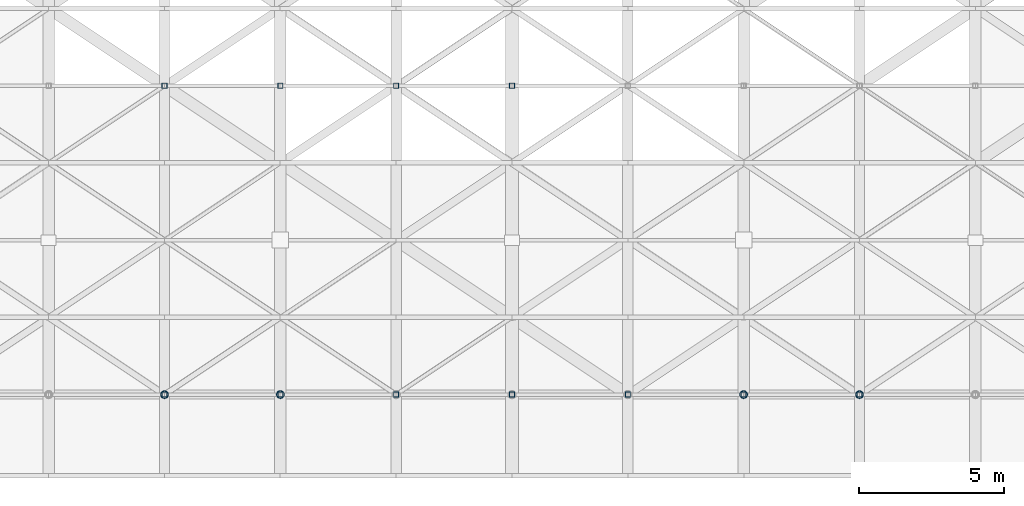
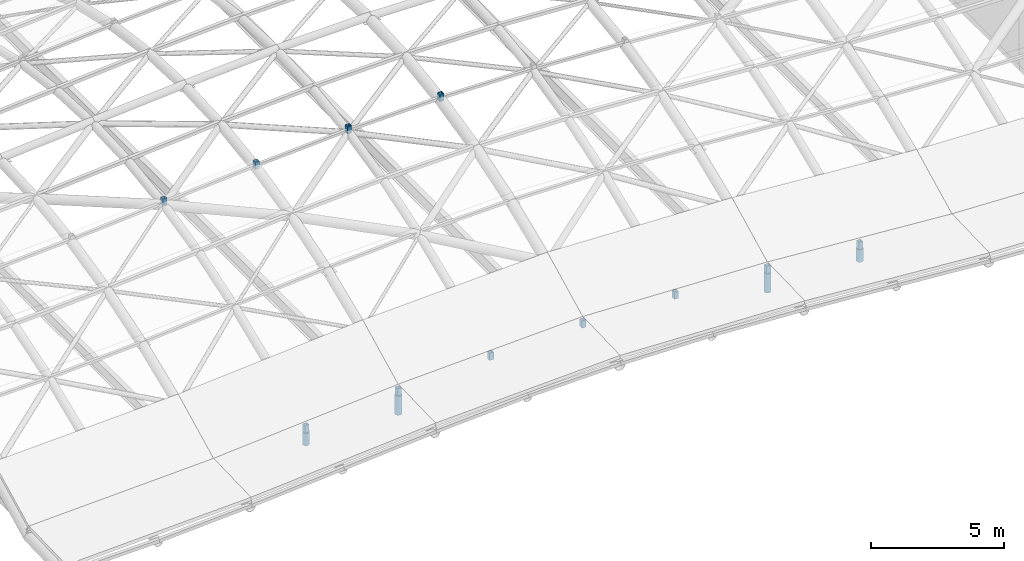
# One storey, part 41 of 72: 15 members.
"""IFC4 building model written with IfcOpenShell, lengths in metres."""

from ifc_helpers import new_model, si_unit, direction, frame, origin, origin_2d, place, context, subcontext, project, spatial, hollow_rectangle, hollow_circle, extrude, material, material_profile, profile_set, type_object, element, save


model = new_model("IFC4")

# Units and contexts
model_context = context("Model", 3, precision=1e-05, world=origin(), true_north=direction((0.0, 1.0)))
body_context = subcontext(model_context, "Body", "Model", "MODEL_VIEW")
ifc_project = project(units=[si_unit("LENGTHUNIT", "METRE"), si_unit("AREAUNIT", "SQUARE_METRE"), si_unit("VOLUMEUNIT", "CUBIC_METRE"), si_unit("PLANEANGLEUNIT", "RADIAN"), si_unit("MASSUNIT", "GRAM", prefix="KILO")], contexts=[model_context])

# Site, building, storey
site_placement = place(None, origin())
site = spatial("IfcSite", under=ifc_project, at=site_placement, CompositionType="ELEMENT")
building_placement = place(site_placement, origin())
building = spatial("IfcBuilding", under=site, at=building_placement, Name="Tenunan Teduh Sports Hall", CompositionType="ELEMENT")
storey_placement = place(building_placement, frame((0.0, 0.0, 15.0)))
storey = spatial("IfcBuildingStorey", under=building, at=storey_placement, Name="L03", CompositionType="ELEMENT", Elevation=15.0)

# Members
ifc_material_1 = material(Name="Steel S355", Category="steel")
ifc_material_profile_1 = material_profile(ifc_material_1, hollow_circle(Radius=0.136474609375, WallThickness=0.010009765625, at=origin_2d()), Name="CHS 273.0x10.0")
ifc_profile_set_1 = profile_set([ifc_material_profile_1], Name="Steel S355")
member_type_1 = type_object("IfcMemberType", Name="MEM-ST-CHS273", PredefinedType="STRUT", material=ifc_profile_set_1)
member_1_placement = place(storey_placement, frame((134.0, 14.0, -0.35009765625), z_axis=(0.0, 0.0, 1.0), x_axis=(1.0, 0.0, 0.0)))
element("IfcMember", 1, at=member_1_placement, inside=storey, type_object=member_type_1, Name="MEM-VS-04-L03-0022", PredefinedType="STRUT", context=body_context, shape_type="SweptSolid", body=[
    extrude(hollow_circle(Radius=0.136474609375, WallThickness=0.010009765625, at=origin_2d()), origin(), (0.0, 0.0, 1.0), 0.57177734375),
])
for number, where, z_axis, x_axis, name in (
    (2, (138.0, 14.0, -0.35009765625), (0.0, 0.0, 1.0), (1.0, 0.0, 0.0), "MEM-VS-04-L03-0029"),
    (3, (154.0, 14.0, -0.35009765625), (0.0, 0.0, 1.0), (1.0, 0.0, 0.0), "MEM-VS-04-L03-0057"),
):
    element("IfcMember", number, at=place(storey_placement, frame(where, z_axis=z_axis, x_axis=x_axis)), inside=storey, type_object=member_type_1, Name=name, PredefinedType="STRUT", context=body_context, shape_type="SweptSolid", body=[
        extrude(hollow_circle(Radius=0.136474609375, WallThickness=0.010009765625, at=origin_2d()), origin(), (0.0, 0.0, 1.0), 0.86865234375),
    ])
member_2_placement = place(storey_placement, frame((158.0, 14.0, -0.35009765625), z_axis=(0.0, 0.0, 1.0), x_axis=(1.0, 0.0, 0.0)))
element("IfcMember", 4, at=member_2_placement, inside=storey, type_object=member_type_1, Name="MEM-VS-04-L03-0064", PredefinedType="STRUT", context=body_context, shape_type="SweptSolid", body=[
    extrude(hollow_circle(Radius=0.136474609375, WallThickness=0.010009765625, at=origin_2d()), origin(), (0.0, 0.0, 1.0), 0.57177734375),
])
ifc_material_2 = material(Name="Steel S355", Category="steel")
ifc_material_profile_2 = material_profile(ifc_material_2, hollow_rectangle(XDim=0.179931640625, YDim=0.179931640625, WallThickness=0.010009765625, at=origin_2d()), Name="SHS 180x180x10.0")
ifc_profile_set_2 = profile_set([ifc_material_profile_2], Name="Steel S355")
member_type_2 = type_object("IfcMemberType", Name="MEM-ST-SHS180", PredefinedType="STRUT", material=ifc_profile_set_2)
for number, where, z_axis, x_axis, name in (
    (5, (134.0, 14.0, 0.2216796875), (0.0, 0.0, 1.0), (1.0, 0.0, 0.0), "MEM-VS-03-L03-0025"),
    (6, (134.0, 24.666748046875, 4.1318359375), (0.0, 0.0, 1.0), (1.0, 0.0, 0.0), "MEM-VS-03-L03-0026"),
    (7, (138.0, 14.0, 0.5185546875), (0.0, 0.0, 1.0), (1.0, 0.0, 0.0), "MEM-VS-03-L03-0032"),
    (8, (138.0, 24.666748046875, 4.4287109375), (0.0, 0.0, 1.0), (1.0, 0.0, 0.0), "MEM-VS-03-L03-0033"),
    (9, (142.0, 14.0, 0.7412109375), (0.0, 0.0, 1.0), (1.0, 0.0, 0.0), "MEM-VS-03-L03-0039"),
    (10, (142.0, 24.666748046875, 4.6513671875), (0.0, 0.0, 1.0), (1.0, 0.0, 0.0), "MEM-VS-03-L03-0040"),
    (11, (146.0, 14.0, 0.8193359375), (0.0, 0.0, 1.0), (1.0, 0.0, 0.0), "MEM-VS-03-L03-0046"),
    (12, (146.0, 24.666748046875, 4.7294921875), (0.0, 0.0, 1.0), (1.0, 0.0, 0.0), "MEM-VS-03-L03-0047"),
    (13, (150.0, 14.0, 0.7412109375), (0.0, 0.0, 1.0), (1.0, 0.0, 0.0), "MEM-VS-03-L03-0053"),
    (14, (154.0, 14.0, 0.5185546875), (0.0, 0.0, 1.0), (1.0, 0.0, 0.0), "MEM-VS-03-L03-0060"),
    (15, (158.0, 14.0, 0.2216796875), (0.0, 0.0, 1.0), (1.0, 0.0, 0.0), "MEM-VS-03-L03-0068"),
):
    element("IfcMember", number, at=place(storey_placement, frame(where, z_axis=z_axis, x_axis=x_axis)), inside=storey, type_object=member_type_2, Name=name, PredefinedType="STRUT", context=body_context, shape_type="SweptSolid", body=[
        extrude(hollow_rectangle(XDim=0.179931640625, YDim=0.179931640625, WallThickness=0.010009765625, at=origin_2d()), origin(), (0.0, 0.0, 1.0), 0.329833984375),
    ])

save(model, "model.ifc")
